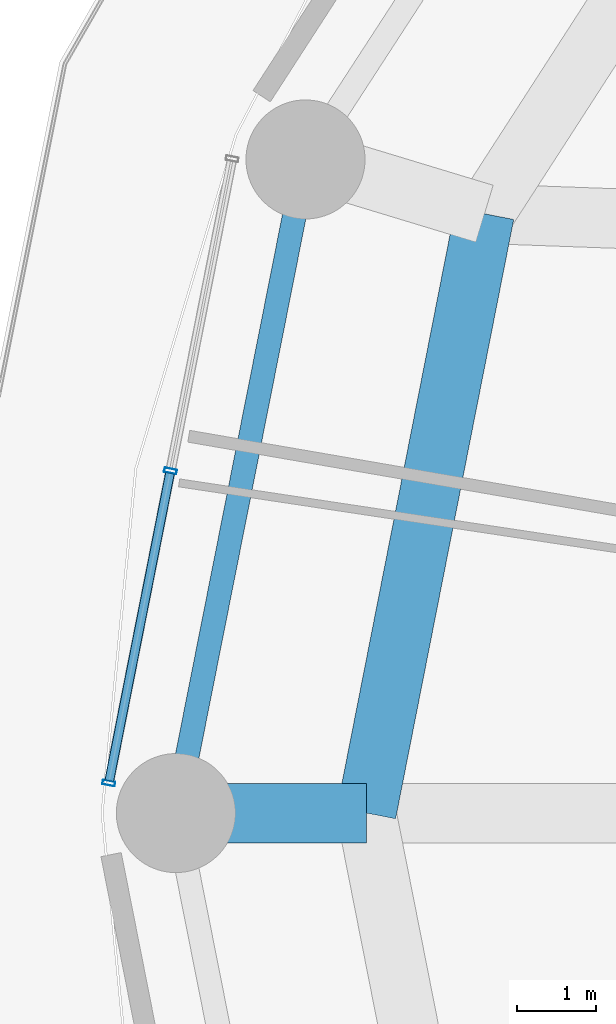
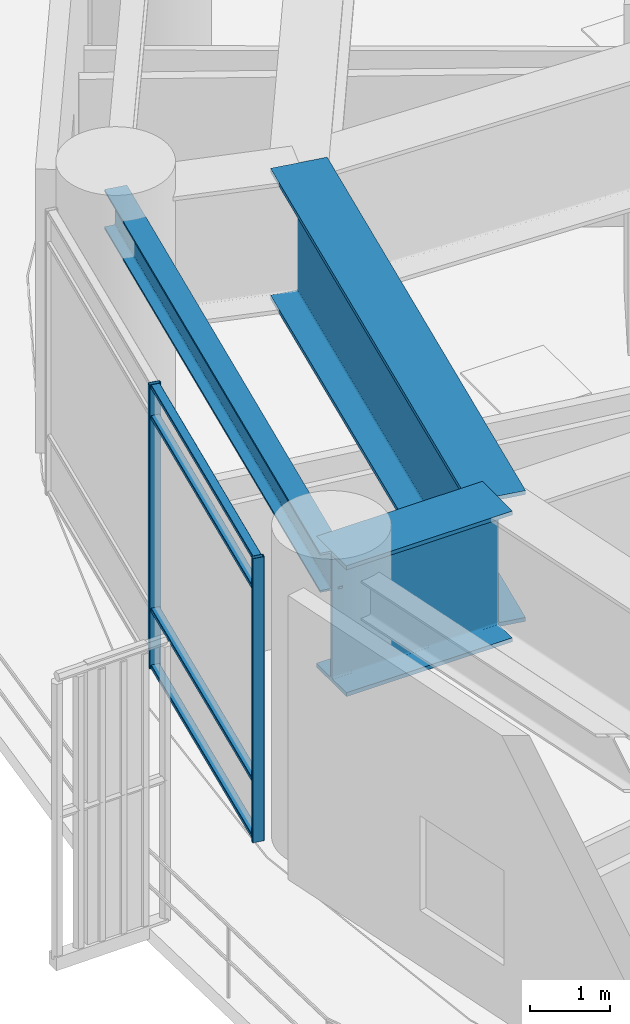
# One storey, part 6 of 31: 6 members, 3 beams, 1 element without a shape of its own.
"""IFC4 building model written with IfcOpenShell, lengths in metres."""

from ifc_helpers import new_model, si_unit, direction, frame, origin, origin_2d, place, context, subcontext, project, spatial, hollow_rectangle, i_section, extrude, material, layer, layer_set, material_profile, profile_set, type_object, element, aggregate, save


model = new_model("IFC4")

# Units and contexts
model_context = context("Model", 3, precision=1e-05, world=origin(), true_north=direction((0.0, 1.0)))
body_context = subcontext(model_context, "Body", "Model", "MODEL_VIEW")
ifc_project = project(units=[si_unit("LENGTHUNIT", "METRE"), si_unit("AREAUNIT", "SQUARE_METRE"), si_unit("VOLUMEUNIT", "CUBIC_METRE"), si_unit("PLANEANGLEUNIT", "RADIAN"), si_unit("MASSUNIT", "GRAM", prefix="KILO")], contexts=[model_context])

# Site, building, storey
site_placement = place(None, origin())
site = spatial("IfcSite", under=ifc_project, at=site_placement, CompositionType="ELEMENT")
building_placement = place(site_placement, origin())
building = spatial("IfcBuilding", under=site, at=building_placement, Name="Kelanora Arch Commons", CompositionType="ELEMENT")
storey_placement = place(building_placement, frame((0.0, 0.0, 67.5)))
storey = spatial("IfcBuildingStorey", under=building, at=storey_placement, Name="L17", CompositionType="ELEMENT", Elevation=67.5)

# Beams
ifc_material_1 = material(Name="Steel S355", Category="steel")
ifc_material_profile_1 = material_profile(ifc_material_1, i_section(OverallWidth=0.300048828125, OverallDepth=0.60009765625, WebThickness=0.015380859375, FlangeThickness=0.030029296875, FilletRadius=0.027099609375, at=origin_2d()), Name="HEB600")
ifc_profile_set_1 = profile_set([ifc_material_profile_1], Name="Steel S355")
beam_type_1 = type_object("IfcBeamType", Name="BM-SPN-Z1", PredefinedType="SPANDREL", material=ifc_profile_set_1)
beam_1_placement = place(storey_placement, frame((48.552978515625, 66.23583984375, 4.06005859375), z_axis=(-0.194499827256, -0.980902552345, 0.0), x_axis=(0.980902552345, -0.194499827256, 0.0)))
element("IfcBeam", 1, at=beam_1_placement, inside=storey, type_object=beam_type_1, Name="Perimeter Spandrel Beam BS-16 L17", PredefinedType="SPANDREL", context=body_context, shape_type="SweptSolid", body=[
    extrude(i_section(OverallWidth=0.300048828125, OverallDepth=0.60009765625, WebThickness=0.015380859375, FlangeThickness=0.030029296875, FilletRadius=0.027099609375, at=origin_2d()), origin(), (0.0, 0.0, 1.0), 8.396240234375),
])
ifc_material_profile_2 = material_profile(ifc_material_1, i_section(OverallWidth=0.75, OverallDepth=2.0, WebThickness=0.034912109375, FlangeThickness=0.06005859375, FilletRadius=0.028076171875, at=origin_2d()), Name="PG2000x750")
ifc_profile_set_2 = profile_set([ifc_material_profile_2], Name="Steel S355")
beam_type_2 = type_object("IfcBeamType", Name="BM-XFER-SET", PredefinedType="USERDEFINED", material=ifc_profile_set_2)
beam_2_placement = place(storey_placement, frame((49.320068359375, 58.0, 3.360107421875), z_axis=(-1.0, 0.0, 0.0), x_axis=(0.0, -1.0, 0.0)))
element("IfcBeam", 2, at=beam_2_placement, inside=storey, type_object=beam_type_2, Name="Radial Floor Girder BR-18 L17", ObjectType="TRANSFER_GIRDER", PredefinedType="USERDEFINED", context=body_context, shape_type="SweptSolid", body=[
    extrude(i_section(OverallWidth=0.75, OverallDepth=2.0, WebThickness=0.034912109375, FlangeThickness=0.06005859375, FilletRadius=0.028076171875, at=origin_2d()), origin(), (0.0, 0.0, 1.0), 2.400146484375),
])
beam_3_placement = place(storey_placement, frame((50.808349609375, 65.5517578125, 3.360107421875), z_axis=(-0.19335825777, -0.981128220037, 0.0), x_axis=(0.981128220037, -0.19335825777, 0.0)))
element("IfcBeam", 3, at=beam_3_placement, inside=storey, type_object=beam_type_2, Name="Setback Inner Transfer Ring BSI-16 L17", ObjectType="TRANSFER_GIRDER", PredefinedType="USERDEFINED", context=body_context, shape_type="SweptSolid", body=[
    extrude(i_section(OverallWidth=0.75, OverallDepth=2.0, WebThickness=0.034912109375, FlangeThickness=0.06005859375, FilletRadius=0.028076171875, at=origin_2d()), origin(), (0.0, 0.0, 1.0), 7.697021484375),
])

# Curtain wall, members
ifc_material_2 = material(Name="Terracotta ceramic-fritted low-E glass and aluminium", Category="masonry")
ifc_layer = layer(ifc_material_2, 0.159912109375)
ifc_layer_set = layer_set([ifc_layer], Name="Terracotta ceramic-fritted low-E glass and aluminium")
curtain_wall_type = type_object("IfcCurtainWallType", Name="CW-SYS-01", PredefinedType="NOTDEFINED", material=ifc_layer_set)
curtain_wall_placement = place(storey_placement, origin())
curtain_wall = element("IfcCurtainWall", 4, at=curtain_wall_placement, inside=storey, type_object=curtain_wall_type, Name="Unitised Curtain Wall L17-B08", PredefinedType="NOTDEFINED")
ifc_material_3 = material(Name="Powder-coated aluminium terracotta", Category="masonry")
ifc_material_profile_3 = material_profile(ifc_material_3, hollow_rectangle(XDim=0.159912109375, YDim=0.06005859375, WallThickness=0.0048828125, InnerFilletRadius=0.0048828125, OuterFilletRadius=0.010009765625, at=origin_2d()), Name="CWM160x60")
ifc_profile_set_3 = profile_set([ifc_material_profile_3], Name="Powder-coated aluminium terracotta")
member_type_1 = type_object("IfcMemberType", Name="CWM-STD", PredefinedType="MULLION", material=ifc_profile_set_3)
member_1_placement = place(storey_placement, frame((46.8515625, 62.3115234375, 0.0), z_axis=(0.0, 0.0, 1.0), x_axis=(0.981052110579, -0.193744048498, 0.0)))
member_1 = element("IfcMember", 5, at=member_1_placement, type_object=member_type_1, Name="CW-01 mullion 2", PredefinedType="MULLION", context=body_context, shape_type="SweptSolid", body=[
    extrude(hollow_rectangle(XDim=0.159912109375, YDim=0.06005859375, WallThickness=0.0048828125, InnerFilletRadius=0.0048828125, OuterFilletRadius=0.010009765625, at=origin_2d()), origin(), (0.0, 0.0, 1.0), 4.344970703125),
])
member_2_placement = place(storey_placement, frame((46.074951171875, 58.379150390625, 0.0), z_axis=(0.0, 0.0, 1.0), x_axis=(0.981052110579, -0.193744048498, 0.0)))
member_2 = element("IfcMember", 6, at=member_2_placement, type_object=member_type_1, Name="CW-01 mullion 3", PredefinedType="MULLION", context=body_context, shape_type="SweptSolid", body=[
    extrude(hollow_rectangle(XDim=0.159912109375, YDim=0.06005859375, WallThickness=0.0048828125, InnerFilletRadius=0.0048828125, OuterFilletRadius=0.010009765625, at=origin_2d()), origin(), (0.0, 0.0, 1.0), 4.344970703125),
])
ifc_material_profile_4 = material_profile(ifc_material_3, hollow_rectangle(XDim=0.1201171875, YDim=0.06005859375, WallThickness=0.0048828125, InnerFilletRadius=0.0048828125, OuterFilletRadius=0.010009765625, at=origin_2d()), Name="CWT120x60")
ifc_profile_set_4 = profile_set([ifc_material_profile_4], Name="Powder-coated aluminium terracotta")
member_type_2 = type_object("IfcMemberType", Name="CWT-STD", PredefinedType="USERDEFINED", material=ifc_profile_set_4)
member_3_placement = place(storey_placement, frame((46.845703125, 62.281982421875, 0.030029296875), z_axis=(-0.193725436624, -0.98105578598, 0.0), x_axis=(0.98105578598, -0.193725436624, 0.0)))
member_3 = element("IfcMember", 7, at=member_3_placement, type_object=member_type_2, Name="CW-01 transom 2.1", ObjectType="TRANSOM", PredefinedType="USERDEFINED", context=body_context, shape_type="SweptSolid", body=[
    extrude(hollow_rectangle(XDim=0.1201171875, YDim=0.06005859375, WallThickness=0.0048828125, InnerFilletRadius=0.0048828125, OuterFilletRadius=0.010009765625, at=origin_2d()), origin(), (0.0, 0.0, 1.0), 3.9482421875),
])
member_4_placement = place(storey_placement, frame((46.845703125, 62.281982421875, 0.89990234375), z_axis=(-0.193725436624, -0.98105578598, 0.0), x_axis=(0.98105578598, -0.193725436624, 0.0)))
member_4 = element("IfcMember", 8, at=member_4_placement, type_object=member_type_2, Name="CW-01 transom 2.2", ObjectType="TRANSOM", PredefinedType="USERDEFINED", context=body_context, shape_type="SweptSolid", body=[
    extrude(hollow_rectangle(XDim=0.1201171875, YDim=0.06005859375, WallThickness=0.0048828125, InnerFilletRadius=0.0048828125, OuterFilletRadius=0.010009765625, at=origin_2d()), origin(), (0.0, 0.0, 1.0), 3.9482421875),
])
member_5_placement = place(storey_placement, frame((46.845703125, 62.281982421875, 3.844970703125), z_axis=(-0.193725436624, -0.98105578598, 0.0), x_axis=(0.98105578598, -0.193725436624, 0.0)))
member_5 = element("IfcMember", 9, at=member_5_placement, type_object=member_type_2, Name="CW-01 transom 2.3", ObjectType="TRANSOM", PredefinedType="USERDEFINED", context=body_context, shape_type="SweptSolid", body=[
    extrude(hollow_rectangle(XDim=0.1201171875, YDim=0.06005859375, WallThickness=0.0048828125, InnerFilletRadius=0.0048828125, OuterFilletRadius=0.010009765625, at=origin_2d()), origin(), (0.0, 0.0, 1.0), 3.9482421875),
])
member_6_placement = place(storey_placement, frame((46.845703125, 62.281982421875, 4.31494140625), z_axis=(-0.193725436624, -0.98105578598, 0.0), x_axis=(0.98105578598, -0.193725436624, 0.0)))
member_6 = element("IfcMember", 10, at=member_6_placement, type_object=member_type_2, Name="CW-01 transom 2.4", ObjectType="TRANSOM", PredefinedType="USERDEFINED", context=body_context, shape_type="SweptSolid", body=[
    extrude(hollow_rectangle(XDim=0.1201171875, YDim=0.06005859375, WallThickness=0.0048828125, InnerFilletRadius=0.0048828125, OuterFilletRadius=0.010009765625, at=origin_2d()), origin(), (0.0, 0.0, 1.0), 3.9482421875),
])
aggregate(curtain_wall, [member_1, member_2, member_3, member_4, member_5, member_6])

save(model, "model.ifc")
